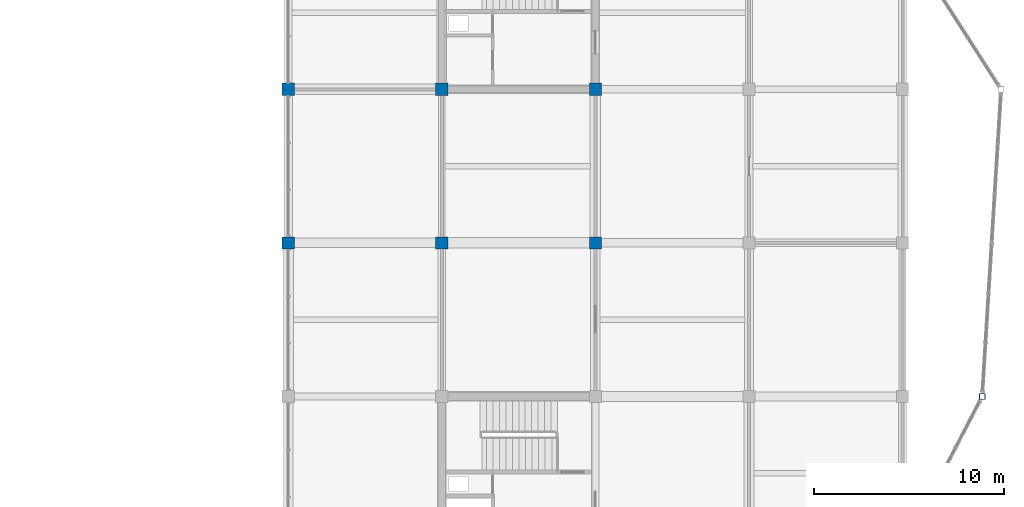
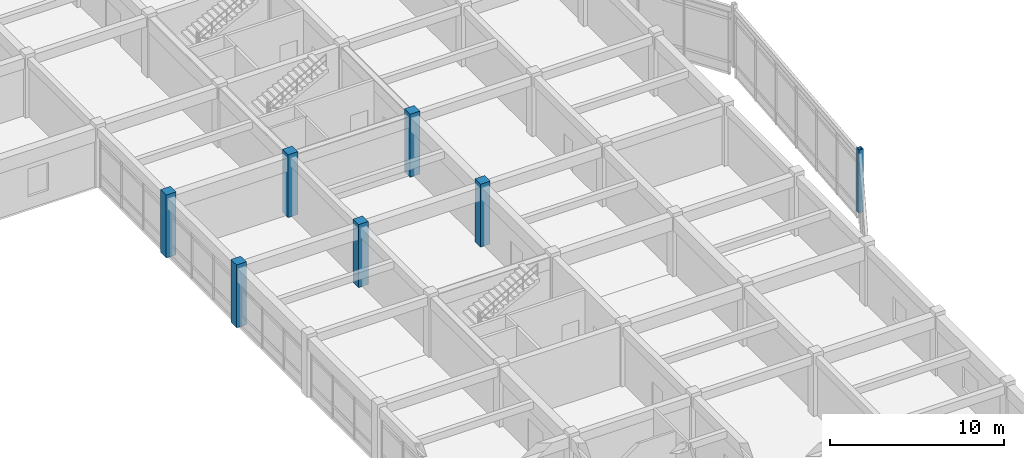
# One storey, part 4 of 40: 7 columns.
"""IFC4 building model written with IfcOpenShell, lengths in metres."""

from ifc_helpers import new_model, si_unit, direction, frame, origin, origin_2d, place, context, subcontext, project, spatial, rectangle, hollow_rectangle, extrude, material, material_profile, profile_set, type_object, element, save


model = new_model("IFC4")

# Units and contexts
model_context = context("Model", 3, precision=1e-05, world=origin(), true_north=direction((0.0, 1.0)))
body_context = subcontext(model_context, "Body", "Model", "MODEL_VIEW")
ifc_project = project(units=[si_unit("LENGTHUNIT", "METRE"), si_unit("AREAUNIT", "SQUARE_METRE"), si_unit("VOLUMEUNIT", "CUBIC_METRE"), si_unit("PLANEANGLEUNIT", "RADIAN"), si_unit("MASSUNIT", "GRAM", prefix="KILO")], contexts=[model_context])

# Site, building, storey
site_placement = place(None, origin())
site = spatial("IfcSite", under=ifc_project, at=site_placement, CompositionType="ELEMENT")
building_placement = place(site_placement, origin())
building = spatial("IfcBuilding", under=site, at=building_placement, Name="Vaudrelin Polytechnic", CompositionType="ELEMENT")
storey_placement = place(building_placement, frame((0.0, 0.0, 22.949951171875)))
storey = spatial("IfcBuildingStorey", under=building, at=storey_placement, Name="L05", CompositionType="ELEMENT", Elevation=22.949951171875)

# Columns
ifc_material_1 = material(Name="Steel CSA G40.21 350WT", Category="steel")
ifc_material_profile_1 = material_profile(ifc_material_1, hollow_rectangle(XDim=0.304931640625, YDim=0.304931640625, WallThickness=0.0126953125, InnerFilletRadius=0.0126953125, OuterFilletRadius=0.025390625, at=origin_2d()), Name="HSS305x305x12.7")
ifc_profile_set_1 = profile_set([ifc_material_profile_1], Name="Steel CSA G40.21 350WT")
column_type_1 = type_object("IfcColumnType", Name="COL-C-HSS305", PredefinedType="COLUMN", material=ifc_profile_set_1)
column_placement = place(storey_placement, frame((174.300048828125, 72.89990234375, 0.0), z_axis=(0.0, 0.0, 1.0), x_axis=(1.0, 0.0, 0.0)))
element("IfcColumn", 1, at=column_placement, inside=storey, type_object=column_type_1, Name="Deconstructivist column L05 E_OR2_1", PredefinedType="COLUMN", context=body_context, shape_type="SweptSolid", body=[
    extrude(hollow_rectangle(XDim=0.304931640625, YDim=0.304931640625, WallThickness=0.0126953125, InnerFilletRadius=0.0126953125, OuterFilletRadius=0.025390625, at=origin_2d()), origin(), (0.0, 0.0, 1.0), 4.420166015625),
])
ifc_material_2 = material(Name="Concrete 40 MPa", Category="concrete")
ifc_material_profile_2 = material_profile(ifc_material_2, rectangle(XDim=0.64990234375, YDim=0.64990234375, at=origin_2d()), Name="RC650x650")
ifc_profile_set_2 = profile_set([ifc_material_profile_2], Name="Concrete 40 MPa")
column_type_2 = type_object("IfcColumnType", Name="COL-C-RC650", PredefinedType="COLUMN", material=ifc_profile_set_2)
for number, where, z_axis, x_axis, name in (
    (2, (137.699951171875, 81.0, 0.0), (0.0, 0.0, 1.0), (1.0, 0.0, 0.0), "Column L05 18-11"),
    (3, (137.699951171875, 89.10009765625, 0.0), (0.0, 0.0, 1.0), (1.0, 0.0, 0.0), "Column L05 18-12"),
    (4, (145.800048828125, 81.0, 0.0), (0.0, 0.0, 1.0), (1.0, 0.0, 0.0), "Column L05 19-11"),
    (5, (145.800048828125, 89.10009765625, 0.0), (0.0, 0.0, 1.0), (1.0, 0.0, 0.0), "Column L05 19-12"),
    (6, (153.89990234375, 81.0, 0.0), (0.0, 0.0, 1.0), (1.0, 0.0, 0.0), "Column L05 20-11"),
    (7, (153.89990234375, 89.10009765625, 0.0), (0.0, 0.0, 1.0), (1.0, 0.0, 0.0), "Column L05 20-12"),
):
    element("IfcColumn", number, at=place(storey_placement, frame(where, z_axis=z_axis, x_axis=x_axis)), inside=storey, type_object=column_type_2, Name=name, PredefinedType="COLUMN", context=body_context, shape_type="SweptSolid", body=[
        extrude(rectangle(XDim=0.64990234375, YDim=0.64990234375, at=origin_2d()), origin(), (0.0, 0.0, 1.0), 4.420166015625),
    ])

save(model, "model.ifc")
